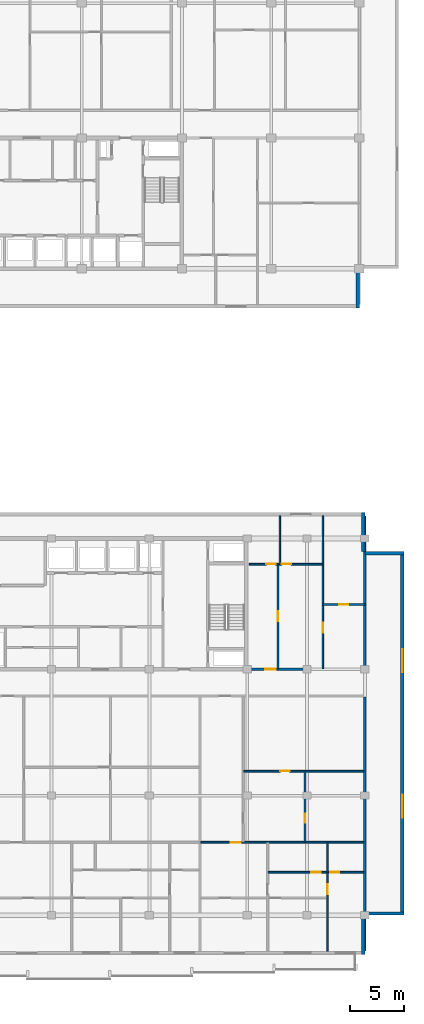
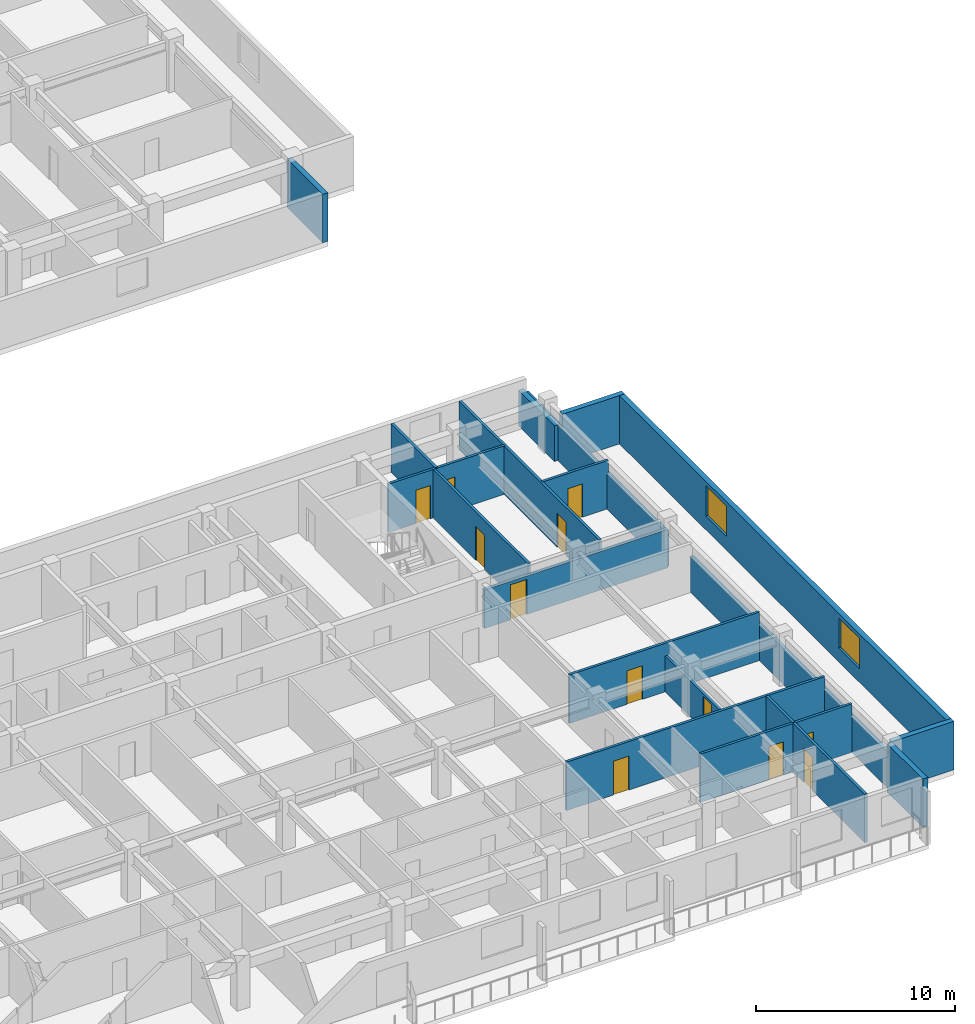
# One storey, part 10 of 23: 20 walls, 12 doors, 2 windows, 14 openings.
"""IFC4 building model written with IfcOpenShell, lengths in metres."""

from ifc_helpers import new_model, si_unit, direction, frame, frame_2d, origin, place, context, subcontext, project, spatial, rectangle, extrude, material, layer, layer_set, type_object, element, fill, save


model = new_model("IFC4")

# Units and contexts
model_context = context("Model", 3, precision=1e-05, world=origin(), true_north=direction((0.0, 1.0)))
body_context = subcontext(model_context, "Body", "Model", "MODEL_VIEW")
ifc_project = project(units=[si_unit("LENGTHUNIT", "METRE"), si_unit("AREAUNIT", "SQUARE_METRE"), si_unit("VOLUMEUNIT", "CUBIC_METRE"), si_unit("PLANEANGLEUNIT", "RADIAN"), si_unit("MASSUNIT", "GRAM", prefix="KILO")], contexts=[model_context])

# Site, building, storey
site_placement = place(None, origin())
site = spatial("IfcSite", under=ifc_project, at=site_placement, CompositionType="ELEMENT")
building_placement = place(site_placement, origin())
building = spatial("IfcBuilding", under=site, at=building_placement, Name="Korimba Cascade Residences", CompositionType="ELEMENT")
storey_placement = place(building_placement, frame((0.0, 0.0, 162.10009765625)))
storey = spatial("IfcBuildingStorey", under=building, at=storey_placement, Name="L46", CompositionType="ELEMENT", Elevation=162.10009765625)

# Walls
ifc_material_1 = material(Name="Precast concrete C40/50", Category="concrete")
ifc_layer_1 = layer(ifc_material_1, 0.300048828125)
ifc_layer_set_1 = layer_set([ifc_layer_1], Name="Precast concrete C40/50")
wall_type_1 = type_object("IfcWallType", Name="EW-STONE-300", PredefinedType="STANDARD", material=ifc_layer_set_1)
wall_1_placement = place(storey_placement, frame((128.25, 51.60009765625, 0.0), z_axis=(0.0, 0.0, 1.0), x_axis=(0.0, 1.0, 0.0)))
element("IfcWall", 1, at=wall_1_placement, inside=storey, type_object=wall_type_1, Name="L46 T1 Perimeter Stone Wall E01", PredefinedType="STANDARD", context=body_context, shape_type="SweptSolid", body=[
    extrude(rectangle(XDim=3.599853515625, YDim=0.300048828125, at=frame_2d((1.7998046875, 0.0))), origin(), (0.0, 0.0, 1.0), 2.969970703125),
])
for number, where, z_axis, x_axis, name in (
    (2, (128.75, -7.800048828125, 0.0), (0.0, 0.0, 1.0), (0.0, 1.0, 0.0), "L46 T2 Perimeter Stone Wall E01"),
    (3, (128.89990234375, -4.050048828125, 0.0), (0.0, 0.0, 1.0), (1.0, 0.0, 0.0), "L46 T2 Perimeter Stone Wall E02"),
):
    element("IfcWall", number, at=place(storey_placement, frame(where, z_axis=z_axis, x_axis=x_axis)), inside=storey, type_object=wall_type_1, Name=name, PredefinedType="STANDARD", context=body_context, shape_type="SweptSolid", body=[
        extrude(rectangle(XDim=3.60009765625, YDim=0.300048828125, at=frame_2d((1.800048828125, 0.0))), origin(), (0.0, 0.0, 1.0), 2.969970703125),
    ])

# Wall, openings, windows
wall_2_placement = place(storey_placement, frame((132.35009765625, -4.199951171875, 0.0), z_axis=(0.0, 0.0, 1.0), x_axis=(0.0, 1.0, 0.0)))
wall_2 = element("IfcWall", 4, at=wall_2_placement, inside=storey, type_object=wall_type_1, Name="L46 T2 Perimeter Stone Wall E03", PredefinedType="STANDARD", context=body_context, shape_type="SweptSolid", body=[
    extrude(rectangle(XDim=33.39990234375, YDim=0.300048828125, at=frame_2d((16.699951171875, 0.0))), origin(), (0.0, 0.0, 1.0), 2.969970703125),
])
opening_1_placement = place(wall_2_placement, frame((8.969970703125, 0.0, 0.85009765625)))
opening_1 = element("IfcOpeningElement", 5, at=opening_1_placement, cuts=wall_2, Name="Opening W-03", PredefinedType="OPENING", context=body_context, shape_type="SweptSolid", body=[
    extrude(rectangle(XDim=2.10009765625, YDim=1.85009765625, at=frame_2d((1.050048828125, 0.925048828125))), frame((0.0, 0.16015625, 0.0), z_axis=(0.0, -1.0, 0.0), x_axis=(1.0, 0.0, 0.0)), (0.0, 0.0, 1.0), 0.320068359375),
])
opening_2_placement = place(wall_2_placement, frame((22.330078125, 0.0, 0.85009765625)))
opening_2 = element("IfcOpeningElement", 6, at=opening_2_placement, cuts=wall_2, Name="Opening W-03", PredefinedType="OPENING", context=body_context, shape_type="SweptSolid", body=[
    extrude(rectangle(XDim=2.10009765625, YDim=1.85009765625, at=frame_2d((1.050048828125, 0.925048828125))), frame((0.0, 0.16015625, 0.0), z_axis=(0.0, -1.0, 0.0), x_axis=(1.0, 0.0, 0.0)), (0.0, 0.0, 1.0), 0.320068359375),
])
ifc_material_2 = material(Name="Double-Glazed Aluminium Window", Category="aluminium")
window_type = type_object("IfcWindowType", Name="WIN-CRN-2100", PartitioningType="DOUBLE_PANEL_HORIZONTAL", PredefinedType="WINDOW", material=ifc_material_2)
window_1_placement = place(opening_1_placement, origin())
window_1 = element("IfcWindow", 7, at=window_1_placement, inside=storey, type_object=window_type, Name="L46 T2 End View Window 3.1", OverallHeight=1.85009765625, OverallWidth=2.10009765625, PartitioningType="DOUBLE_PANEL_HORIZONTAL", PredefinedType="WINDOW", context=body_context, shape_type="SweptSolid", body=[
    extrude(rectangle(XDim=2.10009765625, YDim=1.85009765625, at=frame_2d((1.050048828125, 0.925048828125))), frame((0.0, 0.030029296875, 0.0), z_axis=(0.0, -1.0, 0.0), x_axis=(1.0, 0.0, 0.0)), (0.0, 0.0, 1.0), 0.06005859375),
])
fill(opening_1, window_1)
window_2_placement = place(opening_2_placement, origin())
window_2 = element("IfcWindow", 8, at=window_2_placement, inside=storey, type_object=window_type, Name="L46 T2 End View Window 3.2", OverallHeight=1.85009765625, OverallWidth=2.10009765625, PartitioningType="DOUBLE_PANEL_HORIZONTAL", PredefinedType="WINDOW", context=body_context, shape_type="SweptSolid", body=[
    extrude(rectangle(XDim=2.10009765625, YDim=1.85009765625, at=frame_2d((1.050048828125, 0.925048828125))), frame((0.0, 0.030029296875, 0.0), z_axis=(0.0, -1.0, 0.0), x_axis=(1.0, 0.0, 0.0)), (0.0, 0.0, 1.0), 0.06005859375),
])
fill(opening_2, window_2)

# Walls
wall_3_placement = place(storey_placement, frame((132.5, 29.050048828125, 0.0), z_axis=(0.0, 0.0, 1.0), x_axis=(-1.0, 0.0, 0.0)))
element("IfcWall", 9, at=wall_3_placement, inside=storey, type_object=wall_type_1, Name="L46 T2 Perimeter Stone Wall E04", PredefinedType="STANDARD", context=body_context, shape_type="SweptSolid", body=[
    extrude(rectangle(XDim=3.60009765625, YDim=0.300048828125, at=frame_2d((1.800048828125, 0.0))), origin(), (0.0, 0.0, 1.0), 2.969970703125),
])
wall_4_placement = place(storey_placement, frame((128.75, 29.199951171875, 0.0), z_axis=(0.0, 0.0, 1.0), x_axis=(0.0, 1.0, 0.0)))
element("IfcWall", 10, at=wall_4_placement, inside=storey, type_object=wall_type_1, Name="L46 T2 Perimeter Stone Wall E05", PredefinedType="STANDARD", context=body_context, shape_type="SweptSolid", body=[
    extrude(rectangle(XDim=3.60009765625, YDim=0.300048828125, at=frame_2d((1.800048828125, 0.0))), origin(), (0.0, 0.0, 1.0), 2.2001953125),
])
ifc_layer_2 = layer(ifc_material_1, 0.199951171875)
ifc_layer_set_2 = layer_set([ifc_layer_2], Name="Precast concrete C40/50")
wall_type_2 = type_object("IfcWallType", Name="WAL-IT-200", PredefinedType="PARTITIONING", material=ifc_layer_set_2)
wall_5_placement = place(storey_placement, frame((128.89990234375, 18.39990234375, 0.0), z_axis=(0.0, 0.0, 1.0), x_axis=(0.0, 1.0, 0.0)))
element("IfcWall", 11, at=wall_5_placement, inside=storey, type_object=wall_type_2, Name="L46 Partition Wall WAL-L46-T2-FE-WR", PredefinedType="PARTITIONING", context=body_context, shape_type="SweptSolid", body=[
    extrude(rectangle(XDim=14.10009765625, YDim=0.199951171875, at=frame_2d((7.050048828125, 0.0))), origin(), (0.0, 0.0, 1.0), 2.2001953125),
])

# Wall, opening, door
wall_6_placement = place(storey_placement, frame((118.25, 18.39990234375, 0.0), z_axis=(0.0, 0.0, 1.0), x_axis=(1.0, 0.0, 0.0)))
wall_6 = element("IfcWall", 12, at=wall_6_placement, inside=storey, type_object=wall_type_2, Name="L46 Partition Wall WAL-L46-T2-FE-S", PredefinedType="PARTITIONING", context=body_context, shape_type="SweptSolid", body=[
    extrude(rectangle(XDim=10.64990234375, YDim=0.199951171875, at=frame_2d((5.324951171875, 0.0))), origin(), (0.0, 0.0, 1.0), 2.357666015625),
])
opening_3_placement = place(wall_6_placement, frame((1.510009765625, 0.0, 0.0)))
opening_3 = element("IfcOpeningElement", 13, at=opening_3_placement, cuts=wall_6, Name="Opening D-UN1", PredefinedType="OPENING", context=body_context, shape_type="SweptSolid", body=[
    extrude(rectangle(XDim=0.949951171875, YDim=2.14990234375, at=frame_2d((0.47509765625, 1.074951171875))), frame((0.0, 0.10986328125, 0.0), z_axis=(0.0, -1.0, 0.0), x_axis=(1.0, 0.0, 0.0)), (0.0, 0.0, 1.0), 0.219970703125),
])
ifc_material_3 = material(Name="Fire-Rated Hardwood Apartment Entrance Door", Category="wood")
door_type_1 = type_object("IfcDoorType", Name="DR-FD60-950", OperationType="NOTDEFINED", PredefinedType="DOOR", material=ifc_material_3)
door_1_placement = place(opening_3_placement, origin())
door_1 = element("IfcDoor", 14, at=door_1_placement, inside=storey, type_object=door_type_1, Name="L46-T2-FE Entrance Door", OperationType="SINGLE_SWING_LEFT", OverallHeight=2.14990234375, OverallWidth=0.949951171875, PredefinedType="DOOR", context=body_context, shape_type="SweptSolid", body=[
    extrude(rectangle(XDim=0.949951171875, YDim=2.14990234375, at=frame_2d((0.47509765625, 1.074951171875))), frame((0.0, 0.02490234375, 0.0), z_axis=(0.0, -1.0, 0.0), x_axis=(1.0, 0.0, 0.0)), (0.0, 0.0, 1.0), 0.050048828125),
])
fill(opening_3, door_1)

# Wall
wall_7_placement = place(storey_placement, frame((128.89990234375, -7.5, 0.0), z_axis=(0.0, 0.0, 1.0), x_axis=(0.0, 1.0, 0.0)))
element("IfcWall", 15, at=wall_7_placement, inside=storey, type_object=wall_type_2, Name="L46 Partition Wall WAL-L46-T2-BNDWR", PredefinedType="PARTITIONING", context=body_context, shape_type="SweptSolid", body=[
    extrude(rectangle(XDim=23.3701171875, YDim=0.199951171875, at=frame_2d((11.68505859375, 0.0))), origin(), (0.0, 0.0, 1.0), 2.2001953125),
])

# Wall, opening, door
ifc_material_4 = material(Name="Insulated Acoustic Stud Partition", Category="gypsum")
ifc_layer_3 = layer(ifc_material_4, 0.14990234375)
ifc_layer_set_3 = layer_set([ifc_layer_3], Name="Insulated Acoustic Stud Partition")
wall_type_3 = type_object("IfcWallType", Name="WAL-PART-150", PredefinedType="PARTITIONING", material=ifc_layer_set_3)
wall_8_placement = place(storey_placement, frame((125.050048828125, 24.35009765625, 0.0), z_axis=(0.0, 0.0, 1.0), x_axis=(1.0, 0.0, 0.0)))
wall_8 = element("IfcWall", 16, at=wall_8_placement, inside=storey, type_object=wall_type_3, Name="L46 Partition Wall WAL-L46-T2-FE-STH", PredefinedType="PARTITIONING", context=body_context, shape_type="SweptSolid", body=[
    extrude(rectangle(XDim=3.849853515625, YDim=0.14990234375, at=frame_2d((1.9248046875, 0.0))), origin(), (0.0, 0.0, 1.0), 2.969970703125),
])
opening_4_placement = place(wall_8_placement, frame((1.5048828125, 0.0, 0.0)))
opening_4 = element("IfcOpeningElement", 17, at=opening_4_placement, cuts=wall_8, Name="Opening D-BT1", PredefinedType="OPENING", context=body_context, shape_type="SweptSolid", body=[
    extrude(rectangle(XDim=0.840087890625, YDim=2.0400390625, at=frame_2d((0.419921875, 1.02001953125))), frame((0.0, 0.0849609375, 0.0), z_axis=(0.0, -1.0, 0.0), x_axis=(1.0, 0.0, 0.0)), (0.0, 0.0, 1.0), 0.169921875),
])
ifc_material_5 = material(Name="Moisture-Resistant Bathroom Timber Door", Category="wood")
door_type_2 = type_object("IfcDoorType", Name="DR-INT-850", OperationType="NOTDEFINED", PredefinedType="DOOR", material=ifc_material_5)
door_2_placement = place(opening_4_placement, origin())
door_2 = element("IfcDoor", 18, at=door_2_placement, inside=storey, type_object=door_type_2, Name="L46-T2-FE Dressing Store Door", OperationType="SINGLE_SWING_RIGHT", OverallHeight=2.0400390625, OverallWidth=0.840087890625, PredefinedType="DOOR", context=body_context, shape_type="SweptSolid", body=[
    extrude(rectangle(XDim=0.840087890625, YDim=2.0400390625, at=frame_2d((0.419921875, 1.02001953125))), frame((0.0, 0.02490234375, 0.0), z_axis=(0.0, -1.0, 0.0), x_axis=(1.0, 0.0, 0.0)), (0.0, 0.0, 1.0), 0.050048828125),
])
fill(opening_4, door_2)

wall_9_placement = place(storey_placement, frame((125.050048828125, 18.449951171875, 0.0), z_axis=(0.0, 0.0, 1.0), x_axis=(0.0, 1.0, 0.0)))
wall_9 = element("IfcWall", 19, at=wall_9_placement, inside=storey, type_object=wall_type_3, Name="L46 Partition Wall WAL-L46-T2-FE-STV", PredefinedType="PARTITIONING", context=body_context, shape_type="SweptSolid", body=[
    extrude(rectangle(XDim=14.050048828125, YDim=0.14990234375, at=frame_2d((7.02490234375, 0.0))), origin(), (0.0, 0.0, 1.0), 2.969970703125),
])
opening_5_placement = place(wall_9_placement, frame((3.320068359375, 0.0, 0.0)))
opening_5 = element("IfcOpeningElement", 20, at=opening_5_placement, cuts=wall_9, Name="Opening D-IN2", PredefinedType="OPENING", context=body_context, shape_type="SweptSolid", body=[
    extrude(rectangle(XDim=0.8798828125, YDim=2.06005859375, at=frame_2d((0.43994140625, 1.030029296875))), frame((0.0, 0.0849609375, 0.0), z_axis=(0.0, -1.0, 0.0), x_axis=(1.0, 0.0, 0.0)), (0.0, 0.0, 1.0), 0.169921875),
])
ifc_material_6 = material(Name="Acoustic Timber Bedroom Door", Category="wood")
door_type_3 = type_object("IfcDoorType", Name="DR-INT-880", OperationType="NOTDEFINED", PredefinedType="DOOR", material=ifc_material_6)
door_3_placement = place(opening_5_placement, origin())
door_3 = element("IfcDoor", 21, at=door_3_placement, inside=storey, type_object=door_type_3, Name="L46-T2-FE Study Door", OperationType="SINGLE_SWING_LEFT", OverallHeight=2.06005859375, OverallWidth=0.8798828125, PredefinedType="DOOR", context=body_context, shape_type="SweptSolid", body=[
    extrude(rectangle(XDim=0.8798828125, YDim=2.06005859375, at=frame_2d((0.43994140625, 1.030029296875))), frame((0.0, 0.02490234375, 0.0), z_axis=(0.0, -1.0, 0.0), x_axis=(1.0, 0.0, 0.0)), (0.0, 0.0, 1.0), 0.050048828125),
])
fill(opening_5, door_3)

wall_10_placement = place(storey_placement, frame((120.929931640625, 18.449951171875, 0.0), z_axis=(0.0, 0.0, 1.0), x_axis=(0.0, 1.0, 0.0)))
wall_10 = element("IfcWall", 22, at=wall_10_placement, inside=storey, type_object=wall_type_3, Name="L46 Partition Wall WAL-L46-T2-FE-VS", PredefinedType="PARTITIONING", context=body_context, shape_type="SweptSolid", body=[
    extrude(rectangle(XDim=9.60009765625, YDim=0.14990234375, at=frame_2d((4.800048828125, 0.0))), origin(), (0.0, 0.0, 1.0), 2.969970703125),
])
opening_6_placement = place(wall_10_placement, frame((4.340087890625, 0.0, 0.0)))
opening_6 = element("IfcOpeningElement", 23, at=opening_6_placement, cuts=wall_10, Name="Opening D-IN1", PredefinedType="OPENING", context=body_context, shape_type="SweptSolid", body=[
    extrude(rectangle(XDim=0.919921875, YDim=2.080078125, at=frame_2d((0.4599609375, 1.0400390625))), frame((0.0, 0.0849609375, 0.0), z_axis=(0.0, -1.0, 0.0), x_axis=(1.0, 0.0, 0.0)), (0.0, 0.0, 1.0), 0.169921875),
])
ifc_material_7 = material(Name="Acoustic Timber Living Door", Category="wood")
door_type_4 = type_object("IfcDoorType", Name="DR-INT-920", OperationType="NOTDEFINED", PredefinedType="DOOR", material=ifc_material_7)
door_4_placement = place(opening_6_placement, origin())
door_4 = element("IfcDoor", 24, at=door_4_placement, inside=storey, type_object=door_type_4, Name="L46-T2-FE Living Door", OperationType="SINGLE_SWING_RIGHT", OverallHeight=2.080078125, OverallWidth=0.919921875, PredefinedType="DOOR", context=body_context, shape_type="SweptSolid", body=[
    extrude(rectangle(XDim=0.919921875, YDim=2.080078125, at=frame_2d((0.4599609375, 1.0400390625))), frame((0.0, 0.02490234375, 0.0), z_axis=(0.0, -1.0, 0.0), x_axis=(1.0, 0.0, 0.0)), (0.0, 0.0, 1.0), 0.050048828125),
])
fill(opening_6, door_4)

# Wall
wall_11_placement = place(storey_placement, frame((121.10009765625, 28.050048828125, 0.0), z_axis=(0.0, 0.0, 1.0), x_axis=(0.0, 1.0, 0.0)))
element("IfcWall", 25, at=wall_11_placement, inside=storey, type_object=wall_type_3, Name="L46 Partition Wall WAL-L46-T2-FE-VN", PredefinedType="PARTITIONING", context=body_context, shape_type="SweptSolid", body=[
    extrude(rectangle(XDim=4.449951171875, YDim=0.14990234375, at=frame_2d((2.22509765625, 0.0))), origin(), (0.0, 0.0, 1.0), 2.969970703125),
])

# Wall, openings, doors
wall_12_placement = place(storey_placement, frame((118.27001953125, 28.050048828125, 0.0), z_axis=(0.0, 0.0, 1.0), x_axis=(1.0, 0.0, 0.0)))
wall_12 = element("IfcWall", 26, at=wall_12_placement, inside=storey, type_object=wall_type_3, Name="L46 Partition Wall WAL-L46-T2-FE-H", PredefinedType="PARTITIONING", context=body_context, shape_type="SweptSolid", body=[
    extrude(rectangle(XDim=6.760009765625, YDim=0.14990234375, at=frame_2d((3.3798828125, 0.0))), origin(), (0.0, 0.0, 1.0), 2.969970703125),
])
opening_7_placement = place(wall_12_placement, frame((1.58740234375, 0.0, 0.0)))
opening_7 = element("IfcOpeningElement", 27, at=opening_7_placement, cuts=wall_12, Name="Opening D-BT1", PredefinedType="OPENING", context=body_context, shape_type="SweptSolid", body=[
    extrude(rectangle(XDim=0.840087890625, YDim=2.0400390625, at=frame_2d((0.419921875, 1.02001953125))), frame((0.0, 0.0849609375, 0.0), z_axis=(0.0, -1.0, 0.0), x_axis=(1.0, 0.0, 0.0)), (0.0, 0.0, 1.0), 0.169921875),
])
opening_8_placement = place(wall_12_placement, frame((2.988037109375, 0.0, 0.0)))
opening_8 = element("IfcOpeningElement", 28, at=opening_8_placement, cuts=wall_12, Name="Opening D-IN2", PredefinedType="OPENING", context=body_context, shape_type="SweptSolid", body=[
    extrude(rectangle(XDim=0.8798828125, YDim=2.06005859375, at=frame_2d((0.43994140625, 1.030029296875))), frame((0.0, 0.0849609375, 0.0), z_axis=(0.0, -1.0, 0.0), x_axis=(1.0, 0.0, 0.0)), (0.0, 0.0, 1.0), 0.169921875),
])
door_5_placement = place(opening_7_placement, origin())
door_5 = element("IfcDoor", 29, at=door_5_placement, inside=storey, type_object=door_type_2, Name="L46-T2-FE Bathroom Door", OperationType="SINGLE_SWING_LEFT", OverallHeight=2.0400390625, OverallWidth=0.840087890625, PredefinedType="DOOR", context=body_context, shape_type="SweptSolid", body=[
    extrude(rectangle(XDim=0.840087890625, YDim=2.0400390625, at=frame_2d((0.419921875, 1.02001953125))), frame((0.0, 0.02490234375, 0.0), z_axis=(0.0, -1.0, 0.0), x_axis=(1.0, 0.0, 0.0)), (0.0, 0.0, 1.0), 0.050048828125),
])
fill(opening_7, door_5)
door_6_placement = place(opening_8_placement, origin())
door_6 = element("IfcDoor", 30, at=door_6_placement, inside=storey, type_object=door_type_3, Name="L46-T2-FE Bedroom Door", OperationType="SINGLE_SWING_RIGHT", OverallHeight=2.06005859375, OverallWidth=0.8798828125, PredefinedType="DOOR", context=body_context, shape_type="SweptSolid", body=[
    extrude(rectangle(XDim=0.8798828125, YDim=2.06005859375, at=frame_2d((0.43994140625, 1.030029296875))), frame((0.0, 0.02490234375, 0.0), z_axis=(0.0, -1.0, 0.0), x_axis=(1.0, 0.0, 0.0)), (0.0, 0.0, 1.0), 0.050048828125),
])
fill(opening_8, door_6)

# Wall, opening, door
wall_13_placement = place(storey_placement, frame((123.4052734375, 2.5400390625, 0.0), z_axis=(0.0, 0.0, 1.0), x_axis=(0.0, 1.0, 0.0)))
wall_13 = element("IfcWall", 31, at=wall_13_placement, inside=storey, type_object=wall_type_3, Name="L46 Partition Wall WAL-L46-T2-U03-FMV", PredefinedType="PARTITIONING", context=body_context, shape_type="SweptSolid", body=[
    extrude(rectangle(XDim=6.494873046875, YDim=0.14990234375, at=frame_2d((3.24755859375, 0.0))), origin(), (0.0, 0.0, 1.0), 2.2001953125),
])
opening_9_placement = place(wall_13_placement, frame((1.765380859375, 0.0, 0.0)))
opening_9 = element("IfcOpeningElement", 32, at=opening_9_placement, cuts=wall_13, Name="Opening D-BT1", PredefinedType="OPENING", context=body_context, shape_type="SweptSolid", body=[
    extrude(rectangle(XDim=0.840087890625, YDim=2.0400390625, at=frame_2d((0.419921875, 1.02001953125))), frame((0.0, 0.0849609375, 0.0), z_axis=(0.0, -1.0, 0.0), x_axis=(1.0, 0.0, 0.0)), (0.0, 0.0, 1.0), 0.169921875),
])
door_7_placement = place(opening_9_placement, origin())
door_7 = element("IfcDoor", 33, at=door_7_placement, inside=storey, type_object=door_type_2, Name="L46-T2-U03 Wardrobe Door", OperationType="SINGLE_SWING_RIGHT", OverallHeight=2.0400390625, OverallWidth=0.840087890625, PredefinedType="DOOR", context=body_context, shape_type="SweptSolid", body=[
    extrude(rectangle(XDim=0.840087890625, YDim=2.0400390625, at=frame_2d((0.419921875, 1.02001953125))), frame((0.0, 0.02490234375, 0.0), z_axis=(0.0, -1.0, 0.0), x_axis=(1.0, 0.0, 0.0)), (0.0, 0.0, 1.0), 0.050048828125),
])
fill(opening_9, door_7)

wall_14_placement = place(storey_placement, frame((117.790283203125, 9.034912109375, 0.0), z_axis=(0.0, 0.0, 1.0), x_axis=(1.0, 0.0, 0.0)))
wall_14 = element("IfcWall", 34, at=wall_14_placement, inside=storey, type_object=wall_type_3, Name="L46 Partition Wall WAL-L46-T2-U03-FMH", PredefinedType="PARTITIONING", context=body_context, shape_type="SweptSolid", body=[
    extrude(rectangle(XDim=11.02978515625, YDim=0.14990234375, at=frame_2d((5.514892578125, 0.0))), origin(), (0.0, 0.0, 1.0), 2.969970703125),
])
opening_10_placement = place(wall_14_placement, frame((3.3486328125, 0.0, 0.0)))
opening_10 = element("IfcOpeningElement", 35, at=opening_10_placement, cuts=wall_14, Name="Opening D-IN2", PredefinedType="OPENING", context=body_context, shape_type="SweptSolid", body=[
    extrude(rectangle(XDim=0.8798828125, YDim=2.06005859375, at=frame_2d((0.43994140625, 1.030029296875))), frame((0.0, 0.0849609375, 0.0), z_axis=(0.0, -1.0, 0.0), x_axis=(1.0, 0.0, 0.0)), (0.0, 0.0, 1.0), 0.169921875),
])
door_8_placement = place(opening_10_placement, origin())
door_8 = element("IfcDoor", 36, at=door_8_placement, inside=storey, type_object=door_type_3, Name="L46-T2-U03 Library Salon Door", OperationType="SINGLE_SWING_LEFT", OverallHeight=2.06005859375, OverallWidth=0.8798828125, PredefinedType="DOOR", context=body_context, shape_type="SweptSolid", body=[
    extrude(rectangle(XDim=0.8798828125, YDim=2.06005859375, at=frame_2d((0.43994140625, 1.030029296875))), frame((0.0, 0.02490234375, 0.0), z_axis=(0.0, -1.0, 0.0), x_axis=(1.0, 0.0, 0.0)), (0.0, 0.0, 1.0), 0.050048828125),
])
fill(opening_10, door_8)

# Wall
wall_15_placement = place(storey_placement, frame((125.47998046875, -0.22998046875, 0.0), z_axis=(0.0, 0.0, 1.0), x_axis=(0.0, 1.0, 0.0)))
element("IfcWall", 37, at=wall_15_placement, inside=storey, type_object=wall_type_3, Name="L46 Partition Wall WAL-L46-T2-U03-VBATH", PredefinedType="PARTITIONING", context=body_context, shape_type="SweptSolid", body=[
    extrude(rectangle(XDim=2.68994140625, YDim=0.14990234375, at=frame_2d((1.344970703125, 0.0))), origin(), (0.0, 0.0, 1.0), 2.969970703125),
])

# Wall, opening, door
wall_16_placement = place(storey_placement, frame((125.47998046875, -7.5, 0.0), z_axis=(0.0, 0.0, 1.0), x_axis=(0.0, 1.0, 0.0)))
wall_16 = element("IfcWall", 38, at=wall_16_placement, inside=storey, type_object=wall_type_3, Name="L46 Partition Wall WAL-L46-T2-U03-V2FULL", PredefinedType="PARTITIONING", context=body_context, shape_type="SweptSolid", body=[
    extrude(rectangle(XDim=7.22998046875, YDim=0.14990234375, at=frame_2d((3.614990234375, 0.0))), origin(), (0.0, 0.0, 1.0), 2.969970703125),
])
opening_11_placement = place(wall_16_placement, frame((5.219970703125, 0.0, 0.0)))
opening_11 = element("IfcOpeningElement", 39, at=opening_11_placement, cuts=wall_16, Name="Opening D-IN1", PredefinedType="OPENING", context=body_context, shape_type="SweptSolid", body=[
    extrude(rectangle(XDim=0.919921875, YDim=2.080078125, at=frame_2d((0.4599609375, 1.0400390625))), frame((0.0, 0.0849609375, 0.0), z_axis=(0.0, -1.0, 0.0), x_axis=(1.0, 0.0, 0.0)), (0.0, 0.0, 1.0), 0.169921875),
])
door_9_placement = place(opening_11_placement, origin())
door_9 = element("IfcDoor", 40, at=door_9_placement, inside=storey, type_object=door_type_4, Name="L46-T2-U03 Master Bedroom Door", OperationType="SINGLE_SWING_RIGHT", OverallHeight=2.080078125, OverallWidth=0.919921875, PredefinedType="DOOR", context=body_context, shape_type="SweptSolid", body=[
    extrude(rectangle(XDim=0.919921875, YDim=2.080078125, at=frame_2d((0.4599609375, 1.0400390625))), frame((0.0, 0.02490234375, 0.0), z_axis=(0.0, -1.0, 0.0), x_axis=(1.0, 0.0, 0.0)), (0.0, 0.0, 1.0), 0.050048828125),
])
fill(opening_11, door_9)

# Wall, openings, doors
wall_17_placement = place(storey_placement, frame((120.02001953125, -0.25, 0.0), z_axis=(0.0, 0.0, 1.0), x_axis=(1.0, 0.0, 0.0)))
wall_17 = element("IfcWall", 41, at=wall_17_placement, inside=storey, type_object=wall_type_3, Name="L46 Partition Wall WAL-L46-T2-U03-HWALL", PredefinedType="PARTITIONING", context=body_context, shape_type="SweptSolid", body=[
    extrude(rectangle(XDim=8.800048828125, YDim=0.14990234375, at=frame_2d((4.39990234375, 0.0))), origin(), (0.0, 0.0, 1.0), 2.969970703125),
])
opening_12_placement = place(wall_17_placement, frame((3.97998046875, 0.0, 0.0)))
opening_12 = element("IfcOpeningElement", 42, at=opening_12_placement, cuts=wall_17, Name="Opening D-BT1", PredefinedType="OPENING", context=body_context, shape_type="SweptSolid", body=[
    extrude(rectangle(XDim=0.840087890625, YDim=2.0400390625, at=frame_2d((0.419921875, 1.02001953125))), frame((0.0, 0.0849609375, 0.0), z_axis=(0.0, -1.0, 0.0), x_axis=(1.0, 0.0, 0.0)), (0.0, 0.0, 1.0), 0.169921875),
])
opening_13_placement = place(wall_17_placement, frame((5.7099609375, 0.0, 0.0)))
opening_13 = element("IfcOpeningElement", 43, at=opening_13_placement, cuts=wall_17, Name="Opening D-BT1", PredefinedType="OPENING", context=body_context, shape_type="SweptSolid", body=[
    extrude(rectangle(XDim=0.840087890625, YDim=2.0400390625, at=frame_2d((0.419921875, 1.02001953125))), frame((0.0, 0.0849609375, 0.0), z_axis=(0.0, -1.0, 0.0), x_axis=(1.0, 0.0, 0.0)), (0.0, 0.0, 1.0), 0.169921875),
])
door_10_placement = place(opening_12_placement, origin())
door_10 = element("IfcDoor", 44, at=door_10_placement, inside=storey, type_object=door_type_2, Name="L46-T2-U03 Family Bathroom Door", OperationType="SINGLE_SWING_LEFT", OverallHeight=2.0400390625, OverallWidth=0.840087890625, PredefinedType="DOOR", context=body_context, shape_type="SweptSolid", body=[
    extrude(rectangle(XDim=0.840087890625, YDim=2.0400390625, at=frame_2d((0.419921875, 1.02001953125))), frame((0.0, 0.02490234375, 0.0), z_axis=(0.0, -1.0, 0.0), x_axis=(1.0, 0.0, 0.0)), (0.0, 0.0, 1.0), 0.050048828125),
])
fill(opening_12, door_10)
door_11_placement = place(opening_13_placement, origin())
door_11 = element("IfcDoor", 45, at=door_11_placement, inside=storey, type_object=door_type_2, Name="L46-T2-U03 En-Suite Door", OperationType="SINGLE_SWING_RIGHT", OverallHeight=2.0400390625, OverallWidth=0.840087890625, PredefinedType="DOOR", context=body_context, shape_type="SweptSolid", body=[
    extrude(rectangle(XDim=0.840087890625, YDim=2.0400390625, at=frame_2d((0.419921875, 1.02001953125))), frame((0.0, 0.02490234375, 0.0), z_axis=(0.0, -1.0, 0.0), x_axis=(1.0, 0.0, 0.0)), (0.0, 0.0, 1.0), 0.050048828125),
])
fill(opening_13, door_11)

# Wall, opening, door
wall_18_placement = place(storey_placement, frame((113.84033203125, 2.5, 0.0), z_axis=(0.0, 0.0, 1.0), x_axis=(1.0, 0.0, 0.0)))
wall_18 = element("IfcWall", 46, at=wall_18_placement, inside=storey, type_object=wall_type_3, Name="L46 Partition Wall WAL-L46-T2-U03-MW", PredefinedType="PARTITIONING", context=body_context, shape_type="SweptSolid", body=[
    extrude(rectangle(XDim=14.979736328125, YDim=0.14990234375, at=frame_2d((7.48974609375, 0.0))), origin(), (0.0, 0.0, 1.0), 2.969970703125),
])
opening_14_placement = place(wall_18_placement, frame((2.719970703125, 0.0, 0.0)))
opening_14 = element("IfcOpeningElement", 47, at=opening_14_placement, cuts=wall_18, Name="Opening D-IN1", PredefinedType="OPENING", context=body_context, shape_type="SweptSolid", body=[
    extrude(rectangle(XDim=0.919921875, YDim=2.080078125, at=frame_2d((0.4599609375, 1.0400390625))), frame((0.0, 0.0849609375, 0.0), z_axis=(0.0, -1.0, 0.0), x_axis=(1.0, 0.0, 0.0)), (0.0, 0.0, 1.0), 0.169921875),
])
door_12_placement = place(opening_14_placement, origin())
door_12 = element("IfcDoor", 48, at=door_12_placement, inside=storey, type_object=door_type_4, Name="L46-T2-U03 Kitchen Door", OperationType="SINGLE_SWING_LEFT", OverallHeight=2.080078125, OverallWidth=0.919921875, PredefinedType="DOOR", context=body_context, shape_type="SweptSolid", body=[
    extrude(rectangle(XDim=0.919921875, YDim=2.080078125, at=frame_2d((0.4599609375, 1.0400390625))), frame((0.0, 0.02490234375, 0.0), z_axis=(0.0, -1.0, 0.0), x_axis=(1.0, 0.0, 0.0)), (0.0, 0.0, 1.0), 0.050048828125),
])
fill(opening_14, door_12)

save(model, "model.ifc")
